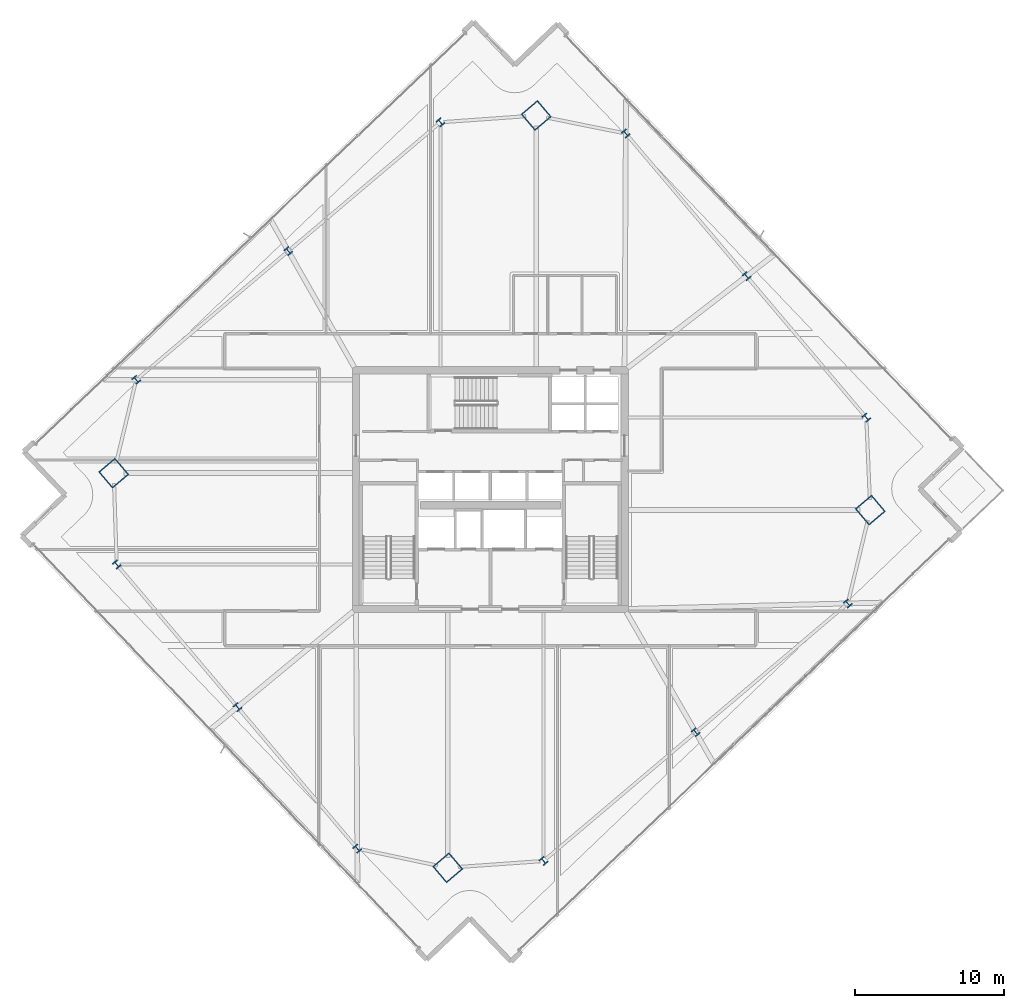
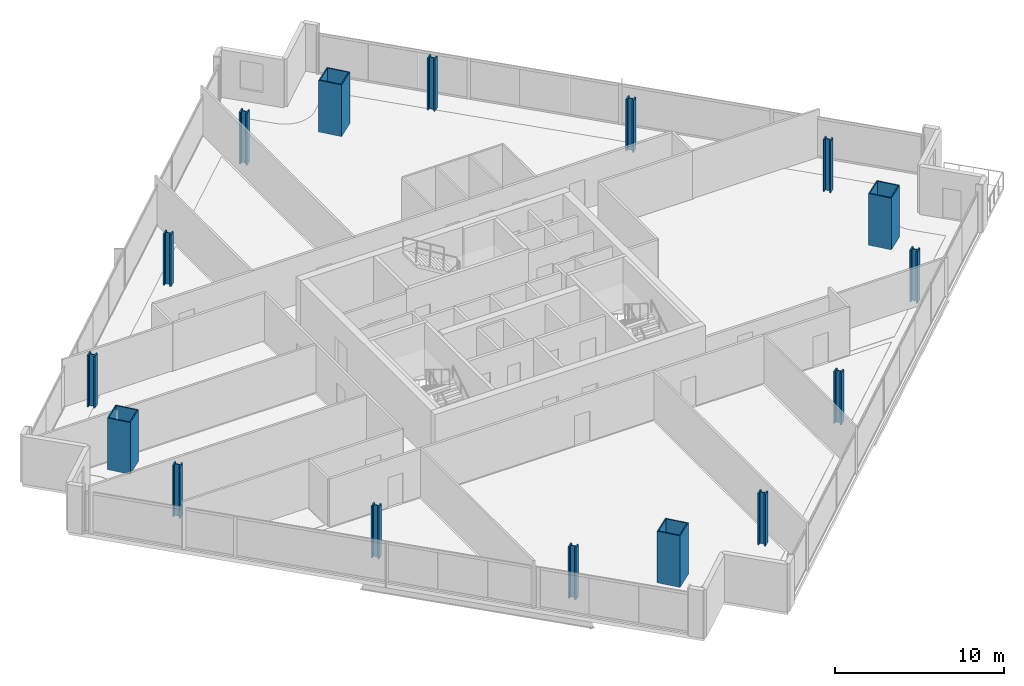
# One storey, part 1 of 33: 16 columns.
"""IFC4 building model written with IfcOpenShell, lengths in metres."""

from ifc_helpers import new_model, si_unit, direction, frame, origin, origin_2d, place, context, subcontext, project, spatial, hollow_rectangle, i_section, extrude, material, material_profile, profile_set, type_object, element, save


model = new_model("IFC4")

# Units and contexts
model_context = context("Model", 3, precision=1e-05, world=origin(), true_north=direction((0.0, 1.0)))
body_context = subcontext(model_context, "Body", "Model", "MODEL_VIEW")
ifc_project = project(units=[si_unit("LENGTHUNIT", "METRE"), si_unit("AREAUNIT", "SQUARE_METRE"), si_unit("VOLUMEUNIT", "CUBIC_METRE"), si_unit("PLANEANGLEUNIT", "RADIAN"), si_unit("MASSUNIT", "GRAM", prefix="KILO")], contexts=[model_context])

# Site, building, storey
site_placement = place(None, origin())
site = spatial("IfcSite", under=ifc_project, at=site_placement, CompositionType="ELEMENT")
building_placement = place(site_placement, origin())
building = spatial("IfcBuilding", under=site, at=building_placement, Name="Haldenkirk Collegiate Tower", CompositionType="ELEMENT")
storey_placement = place(building_placement, frame((0.0, 0.0, 174.449951171875)))
storey = spatial("IfcBuildingStorey", under=building, at=storey_placement, Name="L43", CompositionType="ELEMENT", Elevation=174.449951171875)

# Columns
ifc_material_1 = material(Name="Steel ASTM A913 Grade 65", Category="steel")
ifc_material_profile_1 = material_profile(ifc_material_1, i_section(OverallWidth=0.431884765625, OverallDepth=0.498046875, WebThickness=0.0556640625, FlangeThickness=0.0888671875, at=origin_2d()), Name="W14X500")
ifc_profile_set_1 = profile_set([ifc_material_profile_1], Name="Steel ASTM A913 Grade 65")
column_type_1 = type_object("IfcColumnType", Name="COL-INT-W14X500", PredefinedType="COLUMN", material=ifc_profile_set_1)
for number, where, z_axis, x_axis, name in (
    (1, (39.568603515625, 1.113525390625, 0.0), (0.0, 0.0, 1.0), (0.763232469783, 0.646123979643, 0.0), "L43 perimeter gravity column PC-S1"),
    (2, (49.762451171875, 9.7431640625, 0.0), (0.0, 0.0, 1.0), (0.763232469783, 0.646123979643, 0.0), "L43 perimeter gravity column PC-S2"),
    (3, (59.956298828125, 18.372802734375, 0.0), (0.0, 0.0, 1.0), (0.763232469783, 0.646123979643, 0.0), "L43 perimeter gravity column PC-S3"),
    (4, (61.199462890625, 30.82421875, 0.0), (0.0, 0.0, 1.0), (0.763232469783, 0.646123979643, 0.0), "L43 perimeter gravity column PC-E1"),
    (5, (53.17138671875, 40.307373046875, 0.0), (0.0, 0.0, 1.0), (0.763232469783, 0.646123979643, 0.0), "L43 perimeter gravity column PC-E2"),
    (6, (45.079833984375, 49.865234375, 0.0), (0.0, 0.0, 1.0), (0.763232469783, 0.646123979643, 0.0), "L43 perimeter gravity column PC-E3"),
    (7, (32.657470703125, 50.619384765625, 0.0), (0.0, 0.0, 1.0), (0.763232469783, 0.646123979643, 0.0), "L43 perimeter gravity column PC-N1"),
    (8, (22.463623046875, 41.98974609375, 0.0), (0.0, 0.0, 1.0), (0.763232469783, 0.646123979643, 0.0), "L43 perimeter gravity column PC-N2"),
    (9, (12.27001953125, 33.360107421875, 0.0), (0.0, 0.0, 1.0), (0.763232469783, 0.646123979643, 0.0), "L43 perimeter gravity column PC-N3"),
    (10, (10.96337890625, 20.9833984375, 0.0), (0.0, 0.0, 1.0), (0.763232469783, 0.646123979643, 0.0), "L43 perimeter gravity column PC-W1"),
    (11, (19.0546875, 11.425537109375, 0.0), (0.0, 0.0, 1.0), (0.763232469783, 0.646123979643, 0.0), "L43 perimeter gravity column PC-W2"),
    (12, (27.0830078125, 1.9423828125, 0.0), (0.0, 0.0, 1.0), (0.763232469783, 0.646123979643, 0.0), "L43 perimeter gravity column PC-W3"),
):
    element("IfcColumn", number, at=place(storey_placement, frame(where, z_axis=z_axis, x_axis=x_axis)), inside=storey, type_object=column_type_1, Name=name, PredefinedType="COLUMN", context=body_context, shape_type="SweptSolid", body=[
        extrude(i_section(OverallWidth=0.431884765625, OverallDepth=0.498046875, WebThickness=0.0556640625, FlangeThickness=0.0888671875, at=origin_2d()), origin(), (0.0, 0.0, 1.0), 3.75),
    ])
ifc_material_2 = material(Name="Steel ASTM A572 Grade 50", Category="steel")
ifc_material_profile_2 = material_profile(ifc_material_2, hollow_rectangle(XDim=1.449951171875, YDim=1.449951171875, WallThickness=0.070068359375, at=origin_2d()), Name="BOX1450X1450X70")
ifc_profile_set_2 = profile_set([ifc_material_profile_2], Name="Steel ASTM A572 Grade 50")
column_type_2 = type_object("IfcColumnType", Name="COL-MEGA-BOX1450X1450X70", PredefinedType="COLUMN", material=ifc_profile_set_2)
for number, where, z_axis, x_axis, name in (
    (13, (33.149169921875, 0.65771484375, 0.0), (0.0, 0.0, 1.0), (0.763232469783, 0.646123979643, 0.0), "L43 corner mega-column MC1"),
    (14, (61.465087890625, 24.62890625, 0.0), (0.0, 0.0, 1.0), (0.763232469783, 0.646123979643, 0.0), "L43 corner mega-column MC2"),
    (15, (39.076904296875, 51.074951171875, 0.0), (0.0, 0.0, 1.0), (0.763232469783, 0.646123979643, 0.0), "L43 corner mega-column MC3"),
    (16, (10.760986328125, 27.103759765625, 0.0), (0.0, 0.0, 1.0), (0.763232469783, 0.646123979643, 0.0), "L43 corner mega-column MC4"),
):
    element("IfcColumn", number, at=place(storey_placement, frame(where, z_axis=z_axis, x_axis=x_axis)), inside=storey, type_object=column_type_2, Name=name, PredefinedType="COLUMN", context=body_context, shape_type="SweptSolid", body=[
        extrude(hollow_rectangle(XDim=1.449951171875, YDim=1.449951171875, WallThickness=0.070068359375, at=origin_2d()), origin(), (0.0, 0.0, 1.0), 3.75),
    ])

save(model, "model.ifc")
